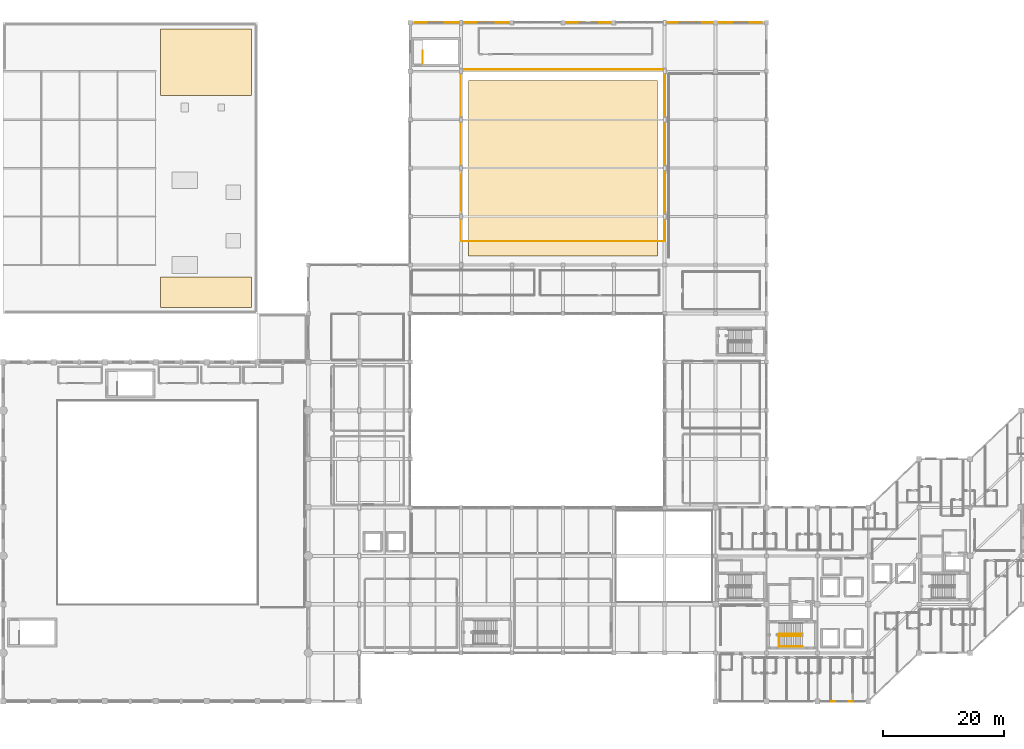
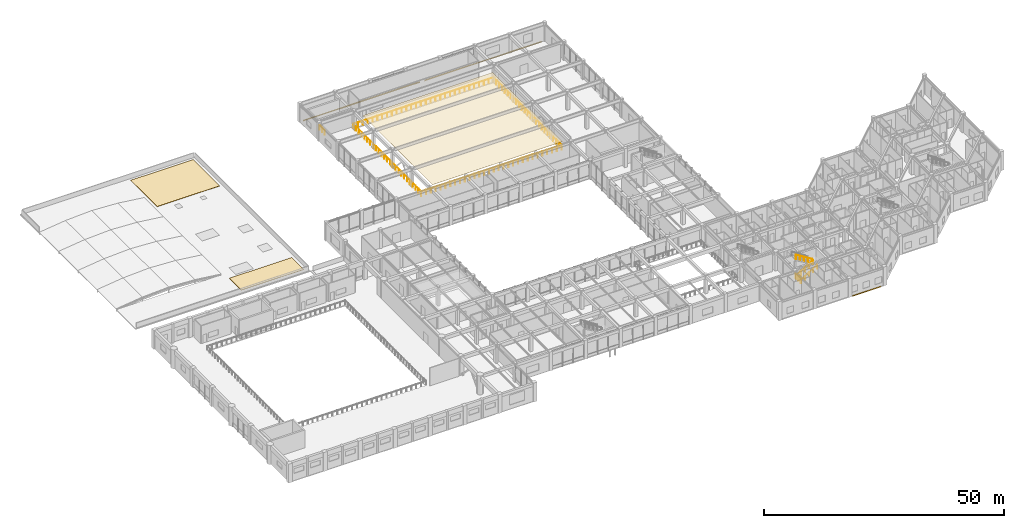
# One storey, part 75 of 76: 9 railings, 6 coverings.
"""IFC4 building model written with IfcOpenShell, lengths in metres."""

from ifc_helpers import new_model, si_unit, direction, frame, origin, origin_2d, place, context, subcontext, project, spatial, polyline, rectangle, circle, outline, extrude, material, layer, layer_set, type_object, element, save


model = new_model("IFC4")

# Units and contexts
model_context = context("Model", 3, precision=1e-05, world=origin(), true_north=direction((0.0, 1.0)))
body_context = subcontext(model_context, "Body", "Model", "MODEL_VIEW")
ifc_project = project(units=[si_unit("LENGTHUNIT", "METRE"), si_unit("AREAUNIT", "SQUARE_METRE"), si_unit("VOLUMEUNIT", "CUBIC_METRE"), si_unit("PLANEANGLEUNIT", "RADIAN"), si_unit("MASSUNIT", "GRAM", prefix="KILO")], contexts=[model_context])

# Site, building, storey
site_placement = place(None, origin())
site = spatial("IfcSite", under=ifc_project, at=site_placement, CompositionType="ELEMENT")
building_placement = place(site_placement, origin())
building = spatial("IfcBuilding", under=site, at=building_placement, Name="Naruveol Harbour Congress Hotel", CompositionType="ELEMENT")
storey_placement = place(building_placement, frame((0.0, 0.0, 11.39990234375)))
storey = spatial("IfcBuildingStorey", under=building, at=storey_placement, Name="L02", CompositionType="ELEMENT", Elevation=11.39990234375)

# Coverings
ifc_material_1 = material(Name="Precast concrete C40/50", Category="concrete")
ifc_layer_1 = layer(ifc_material_1, 0.044921875)
ifc_layer_set_1 = layer_set([ifc_layer_1], Name="Precast concrete C40/50")
covering_type_1 = type_object("IfcCoveringType", Name="HONED INCHEON GRANITE SPANDREL CLADDING 45", PredefinedType="CLADDING", material=ifc_layer_set_1)
for number, where, z_axis, x_axis, name in (
    (1, (82.0, 112.02001953125, -0.27978515625), (0.0, 0.0, 1.0), (1.0, 0.0, 0.0), "Granite spandrel fascia cladding #7"),
    (2, (111.199951171875, 112.02001953125, -0.27978515625), (0.0, 0.0, 1.0), (1.0, 0.0, 0.0), "Granite spandrel fascia cladding #8"),
):
    element("IfcCovering", number, at=place(storey_placement, frame(where, z_axis=z_axis, x_axis=x_axis)), inside=storey, type_object=covering_type_1, Name=name, PredefinedType="CLADDING", context=body_context, shape_type="SweptSolid", body=[
        extrude(rectangle(XDim=28.0, YDim=0.044921875, at=origin_2d()), origin(), (0.0, 0.0, 1.0), 0.280029296875),
    ])
covering_1_placement = place(storey_placement, frame((138.60009765625, -0.02001953125, -0.31982421875), z_axis=(0.0, 0.0, 1.0), x_axis=(1.0, 0.0, 0.0)))
element("IfcCovering", 3, at=covering_1_placement, inside=storey, type_object=covering_type_1, Name="Granite spandrel fascia cladding #10", PredefinedType="CLADDING", context=body_context, shape_type="SweptSolid", body=[
    extrude(rectangle(XDim=6.800048828125, YDim=0.044921875, at=origin_2d()), origin(), (0.0, 0.0, 1.0), 0.280029296875),
])
ifc_material_2 = material(Name="TPO Waterproofing & Mineral Insulation", Category="insulation")
ifc_layer_2 = layer(ifc_material_2, 0.080078125)
ifc_layer_set_2 = layer_set([ifc_layer_2], Name="TPO Waterproofing & Mineral Insulation")
covering_type_2 = type_object("IfcCoveringType", Name="INSULATED MEMBRANE ROOFING SYSTEM 80", PredefinedType="ROOFING", material=ifc_layer_set_2)
covering_2_placement = place(storey_placement, origin())
element("IfcCovering", 4, at=covering_2_placement, inside=storey, type_object=covering_type_2, Name="Insulated roof membrane covering #1", PredefinedType="ROOFING", context=body_context, shape_type="SweptSolid", body=[
    extrude(outline(polyline([(26.0, 65.0), (41.0, 65.0), (41.0, 70.0), (26.0, 70.0), (26.0, 65.0)])), origin(), (0.0, 0.0, 1.0), 0.080078125),
])
covering_3_placement = place(storey_placement, origin())
element("IfcCovering", 5, at=covering_3_placement, inside=storey, type_object=covering_type_2, Name="Insulated roof membrane covering #2", PredefinedType="ROOFING", context=body_context, shape_type="SweptSolid", body=[
    extrude(outline(polyline([(26.0, 100.0), (41.0, 100.0), (41.0, 111.0), (26.0, 111.0), (26.0, 100.0)])), origin(), (0.0, 0.0, 1.0), 0.080078125),
])

# Railings
ifc_material_3 = material(Name="Tempered Laminated Safety Glass & Stainless Steel", Category="steel")
ifc_layer_3 = layer(ifc_material_3, 0.06005859375)
ifc_layer_set_3 = layer_set([ifc_layer_3], Name="Tempered Laminated Safety Glass & Stainless Steel")
railing_type_1 = type_object("IfcRailingType", Name="LAMINATED GLASS TERRACE BALUSTRADE 1150", PredefinedType="BALUSTRADE", material=ifc_layer_set_3)
railing_1_placement = place(storey_placement, frame((75.5400390625, 75.93994140625, 0.0)))
element("IfcRailing", 6, at=railing_1_placement, inside=storey, type_object=railing_type_1, Name="Grand Ballroom gallery balustrade #58", PredefinedType="BALUSTRADE", context=body_context, shape_type="SweptSolid", body=[
    extrude(circle(Radius=0.02392578125, at=origin_2d()), frame((0.0, 0.0, 1.1259765625), z_axis=(1.0, 0.0, 0.0), x_axis=(0.0, 1.0, 0.0)), (0.0, 0.0, 1.0), 33.719970703125),
    extrude(circle(Radius=0.02099609375, at=origin_2d()), origin(), (0.0, 0.0, 1.0), 1.101806640625),
    extrude(circle(Radius=0.02099609375, at=origin_2d()), frame((1.162841796875, 0.0, 0.0)), (0.0, 0.0, 1.0), 1.101806640625),
    extrude(circle(Radius=0.02099609375, at=origin_2d()), frame((2.325439453125, 0.0, 0.0)), (0.0, 0.0, 1.0), 1.101806640625),
    extrude(circle(Radius=0.02099609375, at=origin_2d()), frame((3.48828125, 0.0, 0.0)), (0.0, 0.0, 1.0), 1.101806640625),
    extrude(circle(Radius=0.02099609375, at=origin_2d()), frame((4.651123046875, 0.0, 0.0)), (0.0, 0.0, 1.0), 1.101806640625),
    extrude(circle(Radius=0.02099609375, at=origin_2d()), frame((5.813720703125, 0.0, 0.0)), (0.0, 0.0, 1.0), 1.101806640625),
    extrude(circle(Radius=0.02099609375, at=origin_2d()), frame((6.9765625, 0.0, 0.0)), (0.0, 0.0, 1.0), 1.101806640625),
    extrude(circle(Radius=0.02099609375, at=origin_2d()), frame((8.139404296875, 0.0, 0.0)), (0.0, 0.0, 1.0), 1.101806640625),
    extrude(circle(Radius=0.02099609375, at=origin_2d()), frame((9.302001953125, 0.0, 0.0)), (0.0, 0.0, 1.0), 1.101806640625),
    extrude(circle(Radius=0.02099609375, at=origin_2d()), frame((10.46484375, 0.0, 0.0)), (0.0, 0.0, 1.0), 1.101806640625),
    extrude(circle(Radius=0.02099609375, at=origin_2d()), frame((11.627685546875, 0.0, 0.0)), (0.0, 0.0, 1.0), 1.101806640625),
    extrude(circle(Radius=0.02099609375, at=origin_2d()), frame((12.790283203125, 0.0, 0.0)), (0.0, 0.0, 1.0), 1.101806640625),
    extrude(circle(Radius=0.02099609375, at=origin_2d()), frame((13.953125, 0.0, 0.0)), (0.0, 0.0, 1.0), 1.101806640625),
    extrude(circle(Radius=0.02099609375, at=origin_2d()), frame((15.115966796875, 0.0, 0.0)), (0.0, 0.0, 1.0), 1.101806640625),
    extrude(circle(Radius=0.02099609375, at=origin_2d()), frame((16.278564453125, 0.0, 0.0)), (0.0, 0.0, 1.0), 1.101806640625),
    extrude(circle(Radius=0.02099609375, at=origin_2d()), frame((17.44140625, 0.0, 0.0)), (0.0, 0.0, 1.0), 1.101806640625),
    extrude(circle(Radius=0.02099609375, at=origin_2d()), frame((18.60400390625, 0.0, 0.0)), (0.0, 0.0, 1.0), 1.101806640625),
    extrude(circle(Radius=0.02099609375, at=origin_2d()), frame((19.766845703125, 0.0, 0.0)), (0.0, 0.0, 1.0), 1.101806640625),
    extrude(circle(Radius=0.02099609375, at=origin_2d()), frame((20.9296875, 0.0, 0.0)), (0.0, 0.0, 1.0), 1.101806640625),
    extrude(circle(Radius=0.02099609375, at=origin_2d()), frame((22.09228515625, 0.0, 0.0)), (0.0, 0.0, 1.0), 1.101806640625),
    extrude(circle(Radius=0.02099609375, at=origin_2d()), frame((23.255126953125, 0.0, 0.0)), (0.0, 0.0, 1.0), 1.101806640625),
    extrude(circle(Radius=0.02099609375, at=origin_2d()), frame((24.41796875, 0.0, 0.0)), (0.0, 0.0, 1.0), 1.101806640625),
    extrude(circle(Radius=0.02099609375, at=origin_2d()), frame((25.58056640625, 0.0, 0.0)), (0.0, 0.0, 1.0), 1.101806640625),
    extrude(circle(Radius=0.02099609375, at=origin_2d()), frame((26.743408203125, 0.0, 0.0)), (0.0, 0.0, 1.0), 1.101806640625),
    extrude(circle(Radius=0.02099609375, at=origin_2d()), frame((27.90625, 0.0, 0.0)), (0.0, 0.0, 1.0), 1.101806640625),
    extrude(circle(Radius=0.02099609375, at=origin_2d()), frame((29.06884765625, 0.0, 0.0)), (0.0, 0.0, 1.0), 1.101806640625),
    extrude(circle(Radius=0.02099609375, at=origin_2d()), frame((30.231689453125, 0.0, 0.0)), (0.0, 0.0, 1.0), 1.101806640625),
    extrude(circle(Radius=0.02099609375, at=origin_2d()), frame((31.39453125, 0.0, 0.0)), (0.0, 0.0, 1.0), 1.101806640625),
    extrude(circle(Radius=0.02099609375, at=origin_2d()), frame((32.55712890625, 0.0, 0.0)), (0.0, 0.0, 1.0), 1.101806640625),
    extrude(circle(Radius=0.02099609375, at=origin_2d()), frame((33.719970703125, 0.0, 0.0)), (0.0, 0.0, 1.0), 1.101806640625),
])
railing_2_placement = place(storey_placement, frame((109.260009765625, 75.93994140625, 0.0)))
element("IfcRailing", 7, at=railing_2_placement, inside=storey, type_object=railing_type_1, Name="Grand Ballroom gallery balustrade #59", PredefinedType="BALUSTRADE", context=body_context, shape_type="SweptSolid", body=[
    extrude(circle(Radius=0.02392578125, at=origin_2d()), frame((0.0, 0.0, 1.1259765625), z_axis=(0.0, 1.0, 0.0), x_axis=(-1.0, 0.0, 0.0)), (0.0, 0.0, 1.0), 28.320068359375),
    extrude(circle(Radius=0.02099609375, at=origin_2d()), origin(), (0.0, 0.0, 1.0), 1.101806640625),
    extrude(circle(Radius=0.02099609375, at=origin_2d()), frame((0.0, 1.179931640625, 0.0)), (0.0, 0.0, 1.0), 1.101806640625),
    extrude(circle(Radius=0.02099609375, at=origin_2d()), frame((0.0, 2.360107421875, 0.0)), (0.0, 0.0, 1.0), 1.101806640625),
    extrude(circle(Radius=0.02099609375, at=origin_2d()), frame((0.0, 3.5400390625, 0.0)), (0.0, 0.0, 1.0), 1.101806640625),
    extrude(circle(Radius=0.02099609375, at=origin_2d()), frame((0.0, 4.719970703125, 0.0)), (0.0, 0.0, 1.0), 1.101806640625),
    extrude(circle(Radius=0.02099609375, at=origin_2d()), frame((0.0, 5.89990234375, 0.0)), (0.0, 0.0, 1.0), 1.101806640625),
    extrude(circle(Radius=0.02099609375, at=origin_2d()), frame((0.0, 7.080078125, 0.0)), (0.0, 0.0, 1.0), 1.101806640625),
    extrude(circle(Radius=0.02099609375, at=origin_2d()), frame((0.0, 8.260009765625, 0.0)), (0.0, 0.0, 1.0), 1.101806640625),
    extrude(circle(Radius=0.02099609375, at=origin_2d()), frame((0.0, 9.43994140625, 0.0)), (0.0, 0.0, 1.0), 1.101806640625),
    extrude(circle(Radius=0.02099609375, at=origin_2d()), frame((0.0, 10.6201171875, 0.0)), (0.0, 0.0, 1.0), 1.101806640625),
    extrude(circle(Radius=0.02099609375, at=origin_2d()), frame((0.0, 11.800048828125, 0.0)), (0.0, 0.0, 1.0), 1.101806640625),
    extrude(circle(Radius=0.02099609375, at=origin_2d()), frame((0.0, 12.97998046875, 0.0)), (0.0, 0.0, 1.0), 1.101806640625),
    extrude(circle(Radius=0.02099609375, at=origin_2d()), frame((0.0, 14.16015625, 0.0)), (0.0, 0.0, 1.0), 1.101806640625),
    extrude(circle(Radius=0.02099609375, at=origin_2d()), frame((0.0, 15.340087890625, 0.0)), (0.0, 0.0, 1.0), 1.101806640625),
    extrude(circle(Radius=0.02099609375, at=origin_2d()), frame((0.0, 16.52001953125, 0.0)), (0.0, 0.0, 1.0), 1.101806640625),
    extrude(circle(Radius=0.02099609375, at=origin_2d()), frame((0.0, 17.699951171875, 0.0)), (0.0, 0.0, 1.0), 1.101806640625),
    extrude(circle(Radius=0.02099609375, at=origin_2d()), frame((0.0, 18.880126953125, 0.0)), (0.0, 0.0, 1.0), 1.101806640625),
    extrude(circle(Radius=0.02099609375, at=origin_2d()), frame((0.0, 20.06005859375, 0.0)), (0.0, 0.0, 1.0), 1.101806640625),
    extrude(circle(Radius=0.02099609375, at=origin_2d()), frame((0.0, 21.239990234375, 0.0)), (0.0, 0.0, 1.0), 1.101806640625),
    extrude(circle(Radius=0.02099609375, at=origin_2d()), frame((0.0, 22.420166015625, 0.0)), (0.0, 0.0, 1.0), 1.101806640625),
    extrude(circle(Radius=0.02099609375, at=origin_2d()), frame((0.0, 23.60009765625, 0.0)), (0.0, 0.0, 1.0), 1.101806640625),
    extrude(circle(Radius=0.02099609375, at=origin_2d()), frame((0.0, 24.780029296875, 0.0)), (0.0, 0.0, 1.0), 1.101806640625),
    extrude(circle(Radius=0.02099609375, at=origin_2d()), frame((0.0, 25.9599609375, 0.0)), (0.0, 0.0, 1.0), 1.101806640625),
    extrude(circle(Radius=0.02099609375, at=origin_2d()), frame((0.0, 27.14013671875, 0.0)), (0.0, 0.0, 1.0), 1.101806640625),
    extrude(circle(Radius=0.02099609375, at=origin_2d()), frame((0.0, 28.320068359375, 0.0)), (0.0, 0.0, 1.0), 1.101806640625),
])
railing_3_placement = place(storey_placement, frame((109.260009765625, 104.260009765625, 0.0)))
element("IfcRailing", 8, at=railing_3_placement, inside=storey, type_object=railing_type_1, Name="Grand Ballroom gallery balustrade #60", PredefinedType="BALUSTRADE", context=body_context, shape_type="SweptSolid", body=[
    extrude(circle(Radius=0.02392578125, at=origin_2d()), frame((0.0, 0.0, 1.1259765625), z_axis=(-1.0, 0.0, 0.0), x_axis=(0.0, -1.0, 0.0)), (0.0, 0.0, 1.0), 33.719970703125),
    extrude(circle(Radius=0.02099609375, at=origin_2d()), origin(), (0.0, 0.0, 1.0), 1.101806640625),
    extrude(circle(Radius=0.02099609375, at=origin_2d()), frame((-1.162841796875, 0.0, 0.0)), (0.0, 0.0, 1.0), 1.101806640625),
    extrude(circle(Radius=0.02099609375, at=origin_2d()), frame((-2.325439453125, 0.0, 0.0)), (0.0, 0.0, 1.0), 1.101806640625),
    extrude(circle(Radius=0.02099609375, at=origin_2d()), frame((-3.48828125, 0.0, 0.0)), (0.0, 0.0, 1.0), 1.101806640625),
    extrude(circle(Radius=0.02099609375, at=origin_2d()), frame((-4.651123046875, 0.0, 0.0)), (0.0, 0.0, 1.0), 1.101806640625),
    extrude(circle(Radius=0.02099609375, at=origin_2d()), frame((-5.813720703125, 0.0, 0.0)), (0.0, 0.0, 1.0), 1.101806640625),
    extrude(circle(Radius=0.02099609375, at=origin_2d()), frame((-6.9765625, 0.0, 0.0)), (0.0, 0.0, 1.0), 1.101806640625),
    extrude(circle(Radius=0.02099609375, at=origin_2d()), frame((-8.139404296875, 0.0, 0.0)), (0.0, 0.0, 1.0), 1.101806640625),
    extrude(circle(Radius=0.02099609375, at=origin_2d()), frame((-9.302001953125, 0.0, 0.0)), (0.0, 0.0, 1.0), 1.101806640625),
    extrude(circle(Radius=0.02099609375, at=origin_2d()), frame((-10.46484375, 0.0, 0.0)), (0.0, 0.0, 1.0), 1.101806640625),
    extrude(circle(Radius=0.02099609375, at=origin_2d()), frame((-11.627685546875, 0.0, 0.0)), (0.0, 0.0, 1.0), 1.101806640625),
    extrude(circle(Radius=0.02099609375, at=origin_2d()), frame((-12.790283203125, 0.0, 0.0)), (0.0, 0.0, 1.0), 1.101806640625),
    extrude(circle(Radius=0.02099609375, at=origin_2d()), frame((-13.953125, 0.0, 0.0)), (0.0, 0.0, 1.0), 1.101806640625),
    extrude(circle(Radius=0.02099609375, at=origin_2d()), frame((-15.115966796875, 0.0, 0.0)), (0.0, 0.0, 1.0), 1.101806640625),
    extrude(circle(Radius=0.02099609375, at=origin_2d()), frame((-16.278564453125, 0.0, 0.0)), (0.0, 0.0, 1.0), 1.101806640625),
    extrude(circle(Radius=0.02099609375, at=origin_2d()), frame((-17.44140625, 0.0, 0.0)), (0.0, 0.0, 1.0), 1.101806640625),
    extrude(circle(Radius=0.02099609375, at=origin_2d()), frame((-18.60400390625, 0.0, 0.0)), (0.0, 0.0, 1.0), 1.101806640625),
    extrude(circle(Radius=0.02099609375, at=origin_2d()), frame((-19.766845703125, 0.0, 0.0)), (0.0, 0.0, 1.0), 1.101806640625),
    extrude(circle(Radius=0.02099609375, at=origin_2d()), frame((-20.9296875, 0.0, 0.0)), (0.0, 0.0, 1.0), 1.101806640625),
    extrude(circle(Radius=0.02099609375, at=origin_2d()), frame((-22.09228515625, 0.0, 0.0)), (0.0, 0.0, 1.0), 1.101806640625),
    extrude(circle(Radius=0.02099609375, at=origin_2d()), frame((-23.255126953125, 0.0, 0.0)), (0.0, 0.0, 1.0), 1.101806640625),
    extrude(circle(Radius=0.02099609375, at=origin_2d()), frame((-24.41796875, 0.0, 0.0)), (0.0, 0.0, 1.0), 1.101806640625),
    extrude(circle(Radius=0.02099609375, at=origin_2d()), frame((-25.58056640625, 0.0, 0.0)), (0.0, 0.0, 1.0), 1.101806640625),
    extrude(circle(Radius=0.02099609375, at=origin_2d()), frame((-26.743408203125, 0.0, 0.0)), (0.0, 0.0, 1.0), 1.101806640625),
    extrude(circle(Radius=0.02099609375, at=origin_2d()), frame((-27.90625, 0.0, 0.0)), (0.0, 0.0, 1.0), 1.101806640625),
    extrude(circle(Radius=0.02099609375, at=origin_2d()), frame((-29.06884765625, 0.0, 0.0)), (0.0, 0.0, 1.0), 1.101806640625),
    extrude(circle(Radius=0.02099609375, at=origin_2d()), frame((-30.231689453125, 0.0, 0.0)), (0.0, 0.0, 1.0), 1.101806640625),
    extrude(circle(Radius=0.02099609375, at=origin_2d()), frame((-31.39453125, 0.0, 0.0)), (0.0, 0.0, 1.0), 1.101806640625),
    extrude(circle(Radius=0.02099609375, at=origin_2d()), frame((-32.55712890625, 0.0, 0.0)), (0.0, 0.0, 1.0), 1.101806640625),
    extrude(circle(Radius=0.02099609375, at=origin_2d()), frame((-33.719970703125, 0.0, 0.0)), (0.0, 0.0, 1.0), 1.101806640625),
])
railing_4_placement = place(storey_placement, frame((75.5400390625, 104.260009765625, 0.0)))
element("IfcRailing", 9, at=railing_4_placement, inside=storey, type_object=railing_type_1, Name="Grand Ballroom gallery balustrade #61", PredefinedType="BALUSTRADE", context=body_context, shape_type="SweptSolid", body=[
    extrude(circle(Radius=0.02392578125, at=origin_2d()), frame((0.0, 0.0, 1.1259765625), z_axis=(0.0, -1.0, 0.0), x_axis=(1.0, 0.0, 0.0)), (0.0, 0.0, 1.0), 28.320068359375),
    extrude(circle(Radius=0.02099609375, at=origin_2d()), origin(), (0.0, 0.0, 1.0), 1.101806640625),
    extrude(circle(Radius=0.02099609375, at=origin_2d()), frame((0.0, -1.179931640625, 0.0)), (0.0, 0.0, 1.0), 1.101806640625),
    extrude(circle(Radius=0.02099609375, at=origin_2d()), frame((0.0, -2.360107421875, 0.0)), (0.0, 0.0, 1.0), 1.101806640625),
    extrude(circle(Radius=0.02099609375, at=origin_2d()), frame((0.0, -3.5400390625, 0.0)), (0.0, 0.0, 1.0), 1.101806640625),
    extrude(circle(Radius=0.02099609375, at=origin_2d()), frame((0.0, -4.719970703125, 0.0)), (0.0, 0.0, 1.0), 1.101806640625),
    extrude(circle(Radius=0.02099609375, at=origin_2d()), frame((0.0, -5.89990234375, 0.0)), (0.0, 0.0, 1.0), 1.101806640625),
    extrude(circle(Radius=0.02099609375, at=origin_2d()), frame((0.0, -7.080078125, 0.0)), (0.0, 0.0, 1.0), 1.101806640625),
    extrude(circle(Radius=0.02099609375, at=origin_2d()), frame((0.0, -8.260009765625, 0.0)), (0.0, 0.0, 1.0), 1.101806640625),
    extrude(circle(Radius=0.02099609375, at=origin_2d()), frame((0.0, -9.43994140625, 0.0)), (0.0, 0.0, 1.0), 1.101806640625),
    extrude(circle(Radius=0.02099609375, at=origin_2d()), frame((0.0, -10.6201171875, 0.0)), (0.0, 0.0, 1.0), 1.101806640625),
    extrude(circle(Radius=0.02099609375, at=origin_2d()), frame((0.0, -11.800048828125, 0.0)), (0.0, 0.0, 1.0), 1.101806640625),
    extrude(circle(Radius=0.02099609375, at=origin_2d()), frame((0.0, -12.97998046875, 0.0)), (0.0, 0.0, 1.0), 1.101806640625),
    extrude(circle(Radius=0.02099609375, at=origin_2d()), frame((0.0, -14.16015625, 0.0)), (0.0, 0.0, 1.0), 1.101806640625),
    extrude(circle(Radius=0.02099609375, at=origin_2d()), frame((0.0, -15.340087890625, 0.0)), (0.0, 0.0, 1.0), 1.101806640625),
    extrude(circle(Radius=0.02099609375, at=origin_2d()), frame((0.0, -16.52001953125, 0.0)), (0.0, 0.0, 1.0), 1.101806640625),
    extrude(circle(Radius=0.02099609375, at=origin_2d()), frame((0.0, -17.699951171875, 0.0)), (0.0, 0.0, 1.0), 1.101806640625),
    extrude(circle(Radius=0.02099609375, at=origin_2d()), frame((0.0, -18.880126953125, 0.0)), (0.0, 0.0, 1.0), 1.101806640625),
    extrude(circle(Radius=0.02099609375, at=origin_2d()), frame((0.0, -20.06005859375, 0.0)), (0.0, 0.0, 1.0), 1.101806640625),
    extrude(circle(Radius=0.02099609375, at=origin_2d()), frame((0.0, -21.239990234375, 0.0)), (0.0, 0.0, 1.0), 1.101806640625),
    extrude(circle(Radius=0.02099609375, at=origin_2d()), frame((0.0, -22.420166015625, 0.0)), (0.0, 0.0, 1.0), 1.101806640625),
    extrude(circle(Radius=0.02099609375, at=origin_2d()), frame((0.0, -23.60009765625, 0.0)), (0.0, 0.0, 1.0), 1.101806640625),
    extrude(circle(Radius=0.02099609375, at=origin_2d()), frame((0.0, -24.780029296875, 0.0)), (0.0, 0.0, 1.0), 1.101806640625),
    extrude(circle(Radius=0.02099609375, at=origin_2d()), frame((0.0, -25.9599609375, 0.0)), (0.0, 0.0, 1.0), 1.101806640625),
    extrude(circle(Radius=0.02099609375, at=origin_2d()), frame((0.0, -27.14013671875, 0.0)), (0.0, 0.0, 1.0), 1.101806640625),
    extrude(circle(Radius=0.02099609375, at=origin_2d()), frame((0.0, -28.320068359375, 0.0)), (0.0, 0.0, 1.0), 1.101806640625),
])
ifc_material_4 = material(Name="Stainless Steel 304", Category="steel")
ifc_layer_4 = layer(ifc_material_4, 0.0419921875)
ifc_layer_set_4 = layer_set([ifc_layer_4], Name="Stainless Steel 304")
railing_type_2 = type_object("IfcRailingType", Name="STAIR WALL MOUNTED HANDRAIL 900", PredefinedType="HANDRAIL", material=ifc_layer_set_4)
railing_5_placement = place(storey_placement, frame((128.10009765625, 9.06005859375, 0.0)))
element("IfcRailing", 10, at=railing_5_placement, inside=storey, type_object=railing_type_2, Name="Stair ST1 L02 lower wall handrail", PredefinedType="HANDRAIL", context=body_context, shape_type="SweptSolid", body=[
    extrude(circle(Radius=0.02392578125, at=origin_2d()), frame((0.0, 0.0, 0.8759765625), z_axis=(0.847670718537, 0.0, 0.530522716701), x_axis=(0.0, 1.0, 0.0)), (0.0, 0.0, 1.0), 4.524169921875),
    extrude(circle(Radius=0.02099609375, at=origin_2d()), origin(), (0.0, 0.0, 1.0), 0.851806640625),
    extrude(circle(Radius=0.02099609375, at=origin_2d()), frame((0.958740234375, 0.0, 0.60009765625)), (0.0, 0.0, 1.0), 0.851806640625),
    extrude(circle(Radius=0.02099609375, at=origin_2d()), frame((1.91748046875, 0.0, 1.2001953125)), (0.0, 0.0, 1.0), 0.851806640625),
    extrude(circle(Radius=0.02099609375, at=origin_2d()), frame((2.876220703125, 0.0, 1.800048828125)), (0.0, 0.0, 1.0), 0.851806640625),
    extrude(circle(Radius=0.02099609375, at=origin_2d()), frame((3.8349609375, 0.0, 2.400146484375)), (0.0, 0.0, 1.0), 0.851806640625),
])
ifc_material_5 = material(Name="Steel SN490", Category="steel")
ifc_layer_5 = layer(ifc_material_5, 0.044921875)
ifc_layer_set_5 = layer_set([ifc_layer_5], Name="Steel SN490")
railing_type_3 = type_object("IfcRailingType", Name="STAIRWELL STEEL GUARDRAIL 1150", PredefinedType="GUARDRAIL", material=ifc_layer_set_5)
railing_6_placement = place(storey_placement, frame((128.10009765625, 10.7900390625, 0.0)))
element("IfcRailing", 11, at=railing_6_placement, inside=storey, type_object=railing_type_3, Name="Stair ST1 L02 lower well guard", PredefinedType="GUARDRAIL", context=body_context, shape_type="SweptSolid", body=[
    extrude(circle(Radius=0.02392578125, at=origin_2d()), frame((0.0, 0.0, 1.1259765625), z_axis=(0.847670718537, 0.0, 0.530522716701), x_axis=(0.0, 1.0, 0.0)), (0.0, 0.0, 1.0), 4.524169921875),
    extrude(circle(Radius=0.02099609375, at=origin_2d()), origin(), (0.0, 0.0, 1.0), 1.101806640625),
    extrude(circle(Radius=0.02099609375, at=origin_2d()), frame((0.958740234375, 0.0, 0.60009765625)), (0.0, 0.0, 1.0), 1.101806640625),
    extrude(circle(Radius=0.02099609375, at=origin_2d()), frame((1.91748046875, 0.0, 1.2001953125)), (0.0, 0.0, 1.0), 1.101806640625),
    extrude(circle(Radius=0.02099609375, at=origin_2d()), frame((2.876220703125, 0.0, 1.800048828125)), (0.0, 0.0, 1.0), 1.101806640625),
    extrude(circle(Radius=0.02099609375, at=origin_2d()), frame((3.8349609375, 0.0, 2.400146484375)), (0.0, 0.0, 1.0), 1.101806640625),
])
railing_7_placement = place(storey_placement, frame((131.93505859375, 11.169921875, 2.400146484375)))
element("IfcRailing", 12, at=railing_7_placement, inside=storey, type_object=railing_type_3, Name="Stair ST1 L02 upper well guard", PredefinedType="GUARDRAIL", context=body_context, shape_type="SweptSolid", body=[
    extrude(circle(Radius=0.02392578125, at=origin_2d()), frame((0.0, 0.0, 1.1259765625), z_axis=(-0.847694986538, 0.0, 0.530483939246), x_axis=(0.0, -1.0, 0.0)), (0.0, 0.0, 1.0), 4.52392578125),
    extrude(circle(Radius=0.02099609375, at=origin_2d()), origin(), (0.0, 0.0, 1.0), 1.101806640625),
    extrude(circle(Radius=0.02099609375, at=origin_2d()), frame((-0.958740234375, 0.0, 0.60009765625)), (0.0, 0.0, 1.0), 1.101806640625),
    extrude(circle(Radius=0.02099609375, at=origin_2d()), frame((-1.91748046875, 0.0, 1.199951171875)), (0.0, 0.0, 1.0), 1.101806640625),
    extrude(circle(Radius=0.02099609375, at=origin_2d()), frame((-2.876220703125, 0.0, 1.7998046875)), (0.0, 0.0, 1.0), 1.101806640625),
    extrude(circle(Radius=0.02099609375, at=origin_2d()), frame((-3.8349609375, 0.0, 2.39990234375)), (0.0, 0.0, 1.0), 1.101806640625),
])
railing_8_placement = place(storey_placement, frame((128.06005859375, 9.02001953125, 0.0)))
element("IfcRailing", 13, at=railing_8_placement, inside=storey, type_object=railing_type_3, Name="Stair ST1 L02 landing well guard", PredefinedType="GUARDRAIL", context=body_context, shape_type="SweptSolid", body=[
    extrude(circle(Radius=0.02392578125, at=origin_2d()), frame((0.0, 0.0, 1.1259765625), z_axis=(0.0, 1.0, 0.0), x_axis=(-1.0, 0.0, 0.0)), (0.0, 0.0, 1.0), 2.14990234375),
    extrude(circle(Radius=0.02099609375, at=origin_2d()), origin(), (0.0, 0.0, 1.0), 1.101806640625),
    extrude(circle(Radius=0.02099609375, at=origin_2d()), frame((0.0, 1.074951171875, 0.0)), (0.0, 0.0, 1.0), 1.101806640625),
    extrude(circle(Radius=0.02099609375, at=origin_2d()), frame((0.0, 2.14990234375, 0.0)), (0.0, 0.0, 1.0), 1.101806640625),
])
railing_9_placement = place(storey_placement, frame((69.260009765625, 105.219970703125, 0.0)))
element("IfcRailing", 14, at=railing_9_placement, inside=storey, type_object=railing_type_3, Name="Stair ST8 L02 top-floor well guard", PredefinedType="GUARDRAIL", context=body_context, shape_type="SweptSolid", body=[
    extrude(circle(Radius=0.02392578125, at=origin_2d()), frame((0.0, 0.0, 1.1259765625), z_axis=(0.0, 1.0, 0.0), x_axis=(-1.0, 0.0, 0.0)), (0.0, 0.0, 1.0), 2.150146484375),
    extrude(circle(Radius=0.02099609375, at=origin_2d()), origin(), (0.0, 0.0, 1.0), 1.101806640625),
    extrude(circle(Radius=0.02099609375, at=origin_2d()), frame((0.0, 1.0751953125, 0.0)), (0.0, 0.0, 1.0), 1.101806640625),
    extrude(circle(Radius=0.02099609375, at=origin_2d()), frame((0.0, 2.150146484375, 0.0)), (0.0, 0.0, 1.0), 1.101806640625),
])

# Covering
ifc_material_6 = material(Name="Acoustic Engineered Timber Slats", Category="wood")
ifc_layer_6 = layer(ifc_material_6, 0.034912109375)
ifc_layer_set_6 = layer_set([ifc_layer_6], Name="Acoustic Engineered Timber Slats")
covering_type_3 = type_object("IfcCoveringType", Name="SUSPENDED PERFORATED TIMBER ACOUSTIC CEILING 35", PredefinedType="CEILING", material=ifc_layer_set_6)
covering_4_placement = place(storey_placement, frame((0.0, 0.0, 3.864990234375)))
element("IfcCovering", 15, at=covering_4_placement, inside=storey, type_object=covering_type_3, Name="Grand Ballroom Suspended Acoustic Ceiling", PredefinedType="CEILING", context=body_context, shape_type="SweptSolid", body=[
    extrude(outline(polyline([(76.800048828125, 73.5), (108.0, 73.5), (108.0, 102.5), (76.800048828125, 102.5), (76.800048828125, 73.5)])), origin(), (0.0, 0.0, 1.0), 0.03515625),
])

save(model, "model.ifc")
